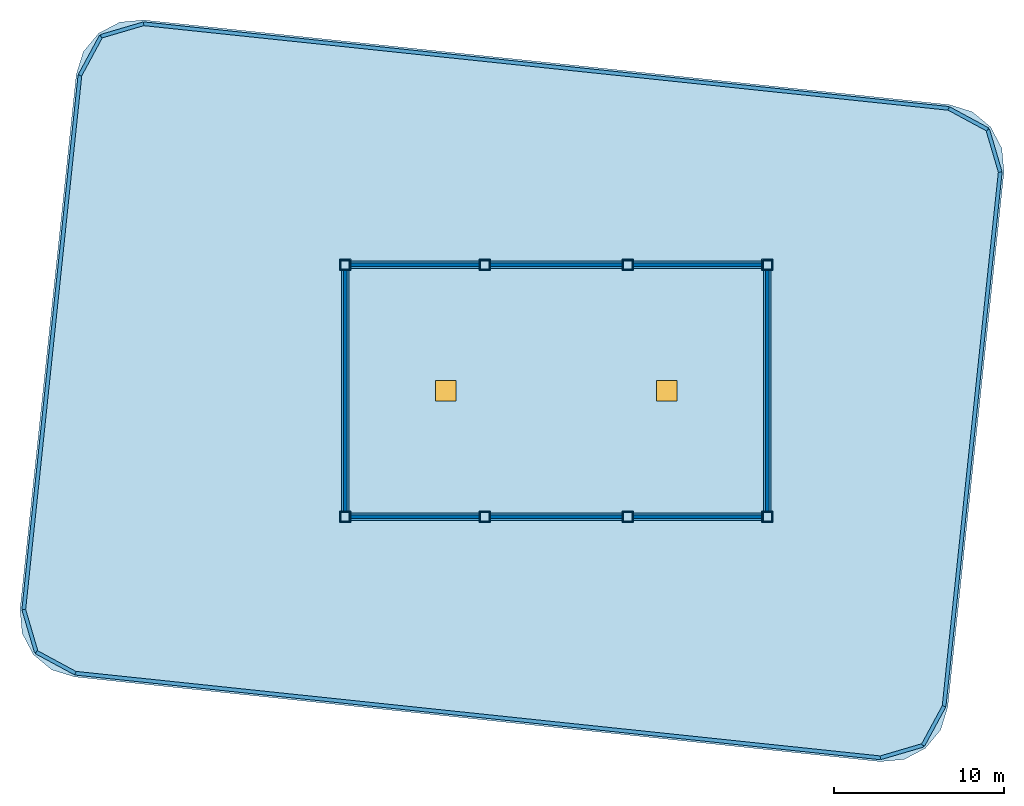
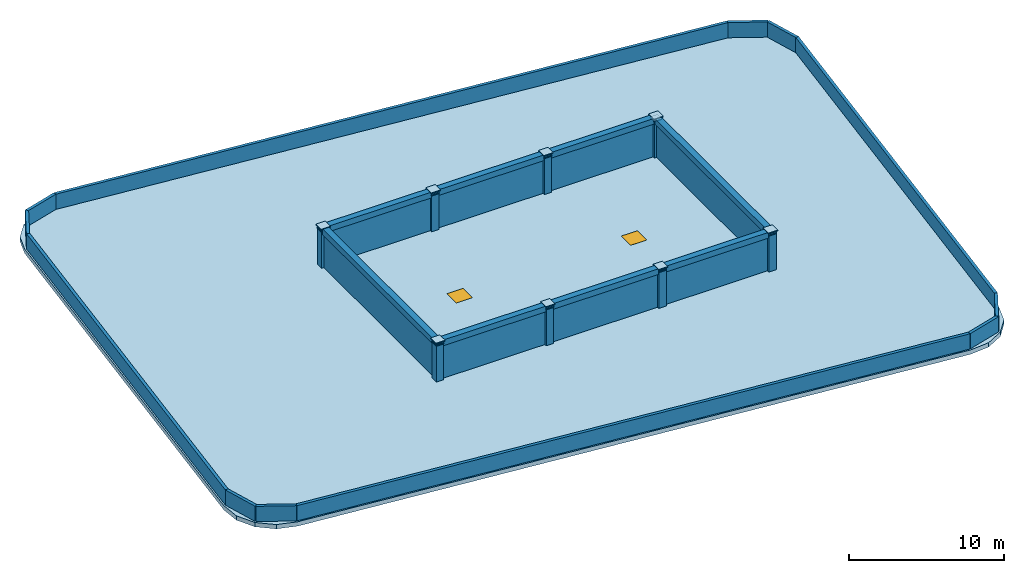
"""IFC4 building model written with IfcOpenShell, lengths in metres."""

from ifc_helpers import new_model, si_unit, direction, frame, frame_2d, origin, origin_2d, place, context, subcontext, project, spatial, polyline, rectangle, hollow_rectangle, outline, extrude, material, layer, layer_set, material_profile, profile_set, type_object, element, fill, save


model = new_model("IFC4")

# Units and contexts
model_context = context("Model", 3, precision=1e-05, world=origin(), true_north=direction((0.0, 1.0)))
body_context = subcontext(model_context, "Body", "Model", "MODEL_VIEW")
ifc_project = project(units=[si_unit("LENGTHUNIT", "METRE"), si_unit("AREAUNIT", "SQUARE_METRE"), si_unit("VOLUMEUNIT", "CUBIC_METRE"), si_unit("PLANEANGLEUNIT", "RADIAN"), si_unit("MASSUNIT", "GRAM", prefix="KILO")], contexts=[model_context])

# Site, building, storey
site_placement = place(None, origin())
site = spatial("IfcSite", under=ifc_project, at=site_placement, CompositionType="ELEMENT")
building_placement = place(site_placement, origin())
building = spatial("IfcBuilding", under=site, at=building_placement, Name="Voryun Gate Residences", CompositionType="ELEMENT")
storey_1_placement = place(building_placement, frame((0.0, 0.0, 342.5)))
storey_1 = spatial("IfcBuildingStorey", under=building, at=storey_1_placement, Name="ROOF", CompositionType="ELEMENT", Elevation=342.5)

# Columns
ifc_material_1 = material(Name="Steel SM355", Category="steel")
ifc_material_profile_1 = material_profile(ifc_material_1, hollow_rectangle(XDim=0.550048828125, YDim=0.550048828125, WallThickness=0.02197265625, at=origin_2d()), Name="BOX-550x550x22")
ifc_profile_set_1 = profile_set([ifc_material_profile_1], Name="Steel SM355")
column_type = type_object("IfcColumnType", Name="COL_CROWN_550", PredefinedType="COLUMN", material=ifc_profile_set_1)
for number, where, z_axis, x_axis, name in (
    (1, (-12.39990234375, -7.39990234375, 0.0), (0.0, 0.0, 1.0), (1.0, 0.0, 0.0), "ROOF Lantern Finial Post 1"),
    (2, (-4.199951171875, -7.39990234375, 0.0), (0.0, 0.0, 1.0), (1.0, 0.0, 0.0), "ROOF Lantern Finial Post 2"),
    (3, (4.199951171875, -7.39990234375, 0.0), (0.0, 0.0, 1.0), (1.0, 0.0, 0.0), "ROOF Lantern Finial Post 3"),
    (4, (12.39990234375, -7.39990234375, 0.0), (0.0, 0.0, 1.0), (1.0, 0.0, 0.0), "ROOF Lantern Finial Post 4"),
    (5, (12.39990234375, 7.39990234375, 0.0), (0.0, 0.0, 1.0), (1.0, 0.0, 0.0), "ROOF Lantern Finial Post 5"),
    (6, (4.199951171875, 7.39990234375, 0.0), (0.0, 0.0, 1.0), (1.0, 0.0, 0.0), "ROOF Lantern Finial Post 6"),
    (7, (-4.199951171875, 7.39990234375, 0.0), (0.0, 0.0, 1.0), (1.0, 0.0, 0.0), "ROOF Lantern Finial Post 7"),
    (8, (-12.39990234375, 7.39990234375, 0.0), (0.0, 0.0, 1.0), (1.0, 0.0, 0.0), "ROOF Lantern Finial Post 8"),
):
    element("IfcColumn", number, at=place(storey_1_placement, frame(where, z_axis=z_axis, x_axis=x_axis)), inside=storey_1, type_object=column_type, Name=name, PredefinedType="COLUMN", context=body_context, shape_type="SweptSolid", body=[
        extrude(hollow_rectangle(XDim=0.550048828125, YDim=0.550048828125, WallThickness=0.02197265625, at=origin_2d()), origin(), (0.0, 0.0, 1.0), 3.10009765625),
    ])

# Beams
ifc_material_2 = material(Name="Steel SM355", Category="steel")
ifc_material_profile_2 = material_profile(ifc_material_2, hollow_rectangle(XDim=0.449951171875, YDim=0.449951171875, WallThickness=0.01806640625, at=origin_2d()), Name="BOX-450x450x18")
ifc_profile_set_2 = profile_set([ifc_material_profile_2], Name="Steel SM355")
beam_type = type_object("IfcBeamType", Name="BM_CROWN_RING", PredefinedType="BEAM", material=ifc_profile_set_2)
beam_1_placement = place(storey_1_placement, frame((-12.39990234375, -7.39990234375, 2.875), z_axis=(1.0, 0.0, 0.0), x_axis=(0.0, 1.0, 0.0)))
element("IfcBeam", 9, at=beam_1_placement, inside=storey_1, type_object=beam_type, Name="BM-ROOF-FINRING-1", PredefinedType="BEAM", context=body_context, shape_type="SweptSolid", body=[
    extrude(hollow_rectangle(XDim=0.449951171875, YDim=0.449951171875, WallThickness=0.01806640625, at=origin_2d()), origin(), (0.0, 0.0, 1.0), 8.199951171875),
])
beam_2_placement = place(storey_1_placement, frame((-4.199951171875, -7.39990234375, 2.875), z_axis=(1.0, 0.0, 0.0), x_axis=(0.0, 1.0, 0.0)))
element("IfcBeam", 10, at=beam_2_placement, inside=storey_1, type_object=beam_type, Name="BM-ROOF-FINRING-2", PredefinedType="BEAM", context=body_context, shape_type="SweptSolid", body=[
    extrude(hollow_rectangle(XDim=0.449951171875, YDim=0.449951171875, WallThickness=0.01806640625, at=origin_2d()), origin(), (0.0, 0.0, 1.0), 8.39990234375),
])
beam_3_placement = place(storey_1_placement, frame((4.199951171875, -7.39990234375, 2.875), z_axis=(1.0, 0.0, 0.0), x_axis=(0.0, 1.0, 0.0)))
element("IfcBeam", 11, at=beam_3_placement, inside=storey_1, type_object=beam_type, Name="BM-ROOF-FINRING-3", PredefinedType="BEAM", context=body_context, shape_type="SweptSolid", body=[
    extrude(hollow_rectangle(XDim=0.449951171875, YDim=0.449951171875, WallThickness=0.01806640625, at=origin_2d()), origin(), (0.0, 0.0, 1.0), 8.199951171875),
])
beam_4_placement = place(storey_1_placement, frame((12.39990234375, -7.39990234375, 2.875), z_axis=(0.0, 1.0, 0.0), x_axis=(-1.0, 0.0, 0.0)))
element("IfcBeam", 12, at=beam_4_placement, inside=storey_1, type_object=beam_type, Name="BM-ROOF-FINRING-4", PredefinedType="BEAM", context=body_context, shape_type="SweptSolid", body=[
    extrude(hollow_rectangle(XDim=0.449951171875, YDim=0.449951171875, WallThickness=0.01806640625, at=origin_2d()), origin(), (0.0, 0.0, 1.0), 14.7998046875),
])
beam_5_placement = place(storey_1_placement, frame((12.39990234375, 7.39990234375, 2.875), z_axis=(-1.0, 0.0, 0.0), x_axis=(0.0, -1.0, 0.0)))
element("IfcBeam", 13, at=beam_5_placement, inside=storey_1, type_object=beam_type, Name="BM-ROOF-FINRING-5", PredefinedType="BEAM", context=body_context, shape_type="SweptSolid", body=[
    extrude(hollow_rectangle(XDim=0.449951171875, YDim=0.449951171875, WallThickness=0.01806640625, at=origin_2d()), origin(), (0.0, 0.0, 1.0), 8.199951171875),
])
beam_6_placement = place(storey_1_placement, frame((4.199951171875, 7.39990234375, 2.875), z_axis=(-1.0, 0.0, 0.0), x_axis=(0.0, -1.0, 0.0)))
element("IfcBeam", 14, at=beam_6_placement, inside=storey_1, type_object=beam_type, Name="BM-ROOF-FINRING-6", PredefinedType="BEAM", context=body_context, shape_type="SweptSolid", body=[
    extrude(hollow_rectangle(XDim=0.449951171875, YDim=0.449951171875, WallThickness=0.01806640625, at=origin_2d()), origin(), (0.0, 0.0, 1.0), 8.39990234375),
])
beam_7_placement = place(storey_1_placement, frame((-4.199951171875, 7.39990234375, 2.875), z_axis=(-1.0, 0.0, 0.0), x_axis=(0.0, -1.0, 0.0)))
element("IfcBeam", 15, at=beam_7_placement, inside=storey_1, type_object=beam_type, Name="BM-ROOF-FINRING-7", PredefinedType="BEAM", context=body_context, shape_type="SweptSolid", body=[
    extrude(hollow_rectangle(XDim=0.449951171875, YDim=0.449951171875, WallThickness=0.01806640625, at=origin_2d()), origin(), (0.0, 0.0, 1.0), 8.199951171875),
])
beam_8_placement = place(storey_1_placement, frame((-12.39990234375, 7.39990234375, 2.875), z_axis=(0.0, -1.0, 0.0), x_axis=(1.0, 0.0, 0.0)))
element("IfcBeam", 16, at=beam_8_placement, inside=storey_1, type_object=beam_type, Name="BM-ROOF-FINRING-8", PredefinedType="BEAM", context=body_context, shape_type="SweptSolid", body=[
    extrude(hollow_rectangle(XDim=0.449951171875, YDim=0.449951171875, WallThickness=0.01806640625, at=origin_2d()), origin(), (0.0, 0.0, 1.0), 14.7998046875),
])

# Plates
ifc_material_3 = material(Name="Steel SM355", Category="steel")
ifc_layer_1 = layer(ifc_material_3, 0.02490234375, Name="PLT_END_CAP_25")
ifc_layer_set_1 = layer_set([ifc_layer_1], Name="Steel SM355")
plate_type = type_object("IfcPlateType", Name="PLT_END_CAP_25", PredefinedType="USERDEFINED", material=ifc_layer_set_1)
for number, where, z_axis, x_axis, name in (
    (17, (-12.39990234375, -7.39990234375, 3.06005859375), (0.0, 0.0, 1.0), (1.0, 0.0, 0.0), "ROOF Hollow Member End-Cap Plate EC-1103"),
    (18, (-4.199951171875, -7.39990234375, 3.06005859375), (0.0, 0.0, 1.0), (1.0, 0.0, 0.0), "ROOF Hollow Member End-Cap Plate EC-1104"),
    (19, (4.199951171875, -7.39990234375, 3.06005859375), (0.0, 0.0, 1.0), (1.0, 0.0, 0.0), "ROOF Hollow Member End-Cap Plate EC-1105"),
    (20, (12.39990234375, -7.39990234375, 3.06005859375), (0.0, 0.0, 1.0), (1.0, 0.0, 0.0), "ROOF Hollow Member End-Cap Plate EC-1106"),
    (21, (12.39990234375, 7.39990234375, 3.06005859375), (0.0, 0.0, 1.0), (1.0, 0.0, 0.0), "ROOF Hollow Member End-Cap Plate EC-1107"),
    (22, (4.199951171875, 7.39990234375, 3.06005859375), (0.0, 0.0, 1.0), (1.0, 0.0, 0.0), "ROOF Hollow Member End-Cap Plate EC-1108"),
    (23, (-4.199951171875, 7.39990234375, 3.06005859375), (0.0, 0.0, 1.0), (1.0, 0.0, 0.0), "ROOF Hollow Member End-Cap Plate EC-1109"),
    (24, (-12.39990234375, 7.39990234375, 3.06005859375), (0.0, 0.0, 1.0), (1.0, 0.0, 0.0), "ROOF Hollow Member End-Cap Plate EC-1110"),
):
    element("IfcPlate", number, at=place(storey_1_placement, frame(where, z_axis=z_axis, x_axis=x_axis)), inside=storey_1, type_object=plate_type, Name=name, ObjectType="BASE_PLATE", PredefinedType="USERDEFINED", context=body_context, shape_type="SweptSolid", body=[
        extrude(rectangle(XDim=0.68994140625, YDim=0.68994140625, at=origin_2d()), origin(), (0.0, 0.0, 1.0), 0.080078125),
    ])
for number, where, z_axis, x_axis, name in (
    (25, (-12.39990234375, -7.39990234375, 2.8349609375), (0.0, 0.0, 1.0), (1.0, 0.0, 0.0), "ROOF Hollow Member End-Cap Plate EC-1111"),
    (26, (-4.199951171875, -7.39990234375, 2.8349609375), (0.0, 0.0, 1.0), (1.0, 0.0, 0.0), "ROOF Hollow Member End-Cap Plate EC-1112"),
    (27, (4.199951171875, -7.39990234375, 2.8349609375), (0.0, 0.0, 1.0), (1.0, 0.0, 0.0), "ROOF Hollow Member End-Cap Plate EC-1113"),
    (28, (12.39990234375, -7.39990234375, 2.8349609375), (0.0, 0.0, 1.0), (1.0, 0.0, 0.0), "ROOF Hollow Member End-Cap Plate EC-1114"),
    (29, (12.39990234375, 7.39990234375, 2.8349609375), (0.0, 0.0, 1.0), (1.0, 0.0, 0.0), "ROOF Hollow Member End-Cap Plate EC-1115"),
    (30, (4.199951171875, 7.39990234375, 2.8349609375), (0.0, 0.0, 1.0), (1.0, 0.0, 0.0), "ROOF Hollow Member End-Cap Plate EC-1116"),
    (31, (-4.199951171875, 7.39990234375, 2.8349609375), (0.0, 0.0, 1.0), (1.0, 0.0, 0.0), "ROOF Hollow Member End-Cap Plate EC-1117"),
    (32, (-12.39990234375, 7.39990234375, 2.8349609375), (0.0, 0.0, 1.0), (1.0, 0.0, 0.0), "ROOF Hollow Member End-Cap Plate EC-1118"),
):
    element("IfcPlate", number, at=place(storey_1_placement, frame(where, z_axis=z_axis, x_axis=x_axis)), inside=storey_1, type_object=plate_type, Name=name, ObjectType="BASE_PLATE", PredefinedType="USERDEFINED", context=body_context, shape_type="SweptSolid", body=[
        extrude(rectangle(XDim=0.590087890625, YDim=0.590087890625, at=origin_2d()), origin(), (0.0, 0.0, 1.0), 0.080078125),
    ])

# Slab, openings
ifc_material_4 = material(Name="Concrete C50/60", Category="concrete")
ifc_layer_2 = layer(ifc_material_4, 0.340087890625, Name="SLB_LANTERN_CAP_340")
ifc_layer_set_2 = layer_set([ifc_layer_2], Name="Concrete C50/60")
slab_type = type_object("IfcSlabType", Name="SLB_LANTERN_CAP_340", PredefinedType="ROOF", material=ifc_layer_set_2)
slab_placement = place(storey_1_placement, frame((0.0, 0.0, -0.340087890625)))
slab = element("IfcSlab", 33, at=slab_placement, inside=storey_1, type_object=slab_type, Name="ROOF Overhanging Pagoda Lantern Main Deck Slab", PredefinedType="ROOF", context=body_context, shape_type="SweptSolid", body=[
    extrude(outline(polyline([(19.041748046875, -21.781494140625), (20.4404296875, -21.653076171875), (21.68359375, -20.9990234375), (22.581787109375, -19.9189453125), (22.998291015625, -18.57763671875), (26.301513671875, 12.849365234375), (26.1728515625, 14.248046875), (25.518798828125, 15.4912109375), (24.43896484375, 16.389404296875), (23.097412109375, 16.805908203125), (-24.24169921875, 21.781494140625), (-25.640625, 21.653076171875), (-26.883544921875, 20.9990234375), (-27.78173828125, 19.9189453125), (-28.1982421875, 18.57763671875), (-31.50146484375, -12.849365234375), (-31.372802734375, -14.248046875), (-30.718994140625, -15.4912109375), (-29.638916015625, -16.389404296875), (-28.29736328125, -16.805908203125), (19.041748046875, -21.781494140625)])), origin(), (0.0, 0.0, 1.0), 0.340087890625),
])
opening_1_placement = place(slab_placement, frame((-6.5, 0.0, 0.0)))
opening_1 = element("IfcOpeningElement", 34, at=opening_1_placement, cuts=slab, Name="Opening RH1", PredefinedType="OPENING", context=body_context, shape_type="SweptSolid", body=[
    extrude(rectangle(XDim=1.199951171875, YDim=1.199951171875, at=origin_2d()), origin(), (0.0, 0.0, 1.0), 0.340087890625),
])
opening_2_placement = place(slab_placement, frame((6.5, 0.0, 0.0)))
opening_2 = element("IfcOpeningElement", 35, at=opening_2_placement, cuts=slab, Name="Opening RH1", PredefinedType="OPENING", context=body_context, shape_type="SweptSolid", body=[
    extrude(rectangle(XDim=1.199951171875, YDim=1.199951171875, at=origin_2d()), origin(), (0.0, 0.0, 1.0), 0.340087890625),
])

# Storey
storey_2_placement = place(building_placement, frame((0.0, 0.0, 337.199951171875)))
storey_2 = spatial("IfcBuildingStorey", under=building, at=storey_2_placement, Name="L82", CompositionType="ELEMENT", Elevation=337.199951171875)

# Window
ifc_material_5 = material(Name="Anodised aluminium", Category="aluminium")
window_type = type_object("IfcWindowType", Name="WN_ROOF_HATCH_1200", PartitioningType="SINGLE_PANEL", PredefinedType="SKYLIGHT", material=ifc_material_5)
window_1_placement = place(opening_1_placement, frame((0.0, 0.0, 0.2900390625)))
window_1 = element("IfcWindow", 36, at=window_1_placement, inside=storey_2, type_object=window_type, Name="ROOF Maintenance Access Hatch RH-01", OverallHeight=1.199951171875, OverallWidth=1.199951171875, PartitioningType="SINGLE_PANEL", PredefinedType="SKYLIGHT", context=body_context, shape_type="SweptSolid", body=[
    extrude(rectangle(XDim=1.199951171875, YDim=1.199951171875, at=origin_2d()), origin(), (0.0, 0.0, 1.0), 0.050048828125),
])

fill(opening_1, window_1)

window_2_placement = place(opening_2_placement, frame((0.0, 0.0, 0.2900390625)))
window_2 = element("IfcWindow", 37, at=window_2_placement, inside=storey_2, type_object=window_type, Name="ROOF Maintenance Access Hatch RH-02", OverallHeight=1.199951171875, OverallWidth=1.199951171875, PartitioningType="SINGLE_PANEL", PredefinedType="SKYLIGHT", context=body_context, shape_type="SweptSolid", body=[
    extrude(rectangle(XDim=1.199951171875, YDim=1.199951171875, at=origin_2d()), origin(), (0.0, 0.0, 1.0), 0.050048828125),
])

fill(opening_2, window_2)

# Walls
ifc_material_6 = material(Name="Precast concrete C40/50", Category="concrete")
ifc_layer_3 = layer(ifc_material_6, 0.219970703125, Name="W_PARAPET_CURB_220")
ifc_layer_set_3 = layer_set([ifc_layer_3], Name="Precast concrete C40/50")
wall_type = type_object("IfcWallType", Name="W_PARAPET_CURB_220", PredefinedType="PARAPET", material=ifc_layer_set_3)
wall_1_placement = place(storey_1_placement, frame((19.043212890625, -21.560302734375, 0.0), z_axis=(0.0, 0.0, 1.0), x_axis=(-0.994522065064, 0.104526848712, 0.0)))
element("IfcWall", 38, at=wall_1_placement, inside=storey_1, type_object=wall_type, Name="Exterior wall WCRN-ROOF-PAR-01", PredefinedType="PARAPET", context=body_context, shape_type="SweptSolid", body=[
    extrude(rectangle(XDim=47.556640625, YDim=0.219970703125, at=frame_2d((23.7783203125, 0.0))), origin(), (0.0, 0.0, 1.0), 1.199951171875),
])
wall_2_placement = place(storey_1_placement, frame((-28.2529296875, -16.58935546875, 0.0), z_axis=(0.0, 0.0, 1.0), x_axis=(-0.879630222732, 0.47565814537, 0.0)))
element("IfcWall", 39, at=wall_2_placement, inside=storey_1, type_object=wall_type, Name="Exterior wall WCRN-ROOF-PAR-02", PredefinedType="PARAPET", context=body_context, shape_type="SweptSolid", body=[
    extrude(rectangle(XDim=2.60546875, YDim=0.219970703125, at=frame_2d((1.302734375, 0.0))), origin(), (0.0, 0.0, 1.0), 1.199951171875),
])
wall_3_placement = place(storey_1_placement, frame((-30.544677734375, -15.35009765625, 0.0), z_axis=(0.0, 0.0, 1.0), x_axis=(-0.282435200473, 0.959286379312, 0.0)))
element("IfcWall", 40, at=wall_3_placement, inside=storey_1, type_object=wall_type, Name="Exterior wall WCRN-ROOF-PAR-03", PredefinedType="PARAPET", context=body_context, shape_type="SweptSolid", body=[
    extrude(rectangle(XDim=2.605224609375, YDim=0.219970703125, at=frame_2d((1.302734375, 0.0))), origin(), (0.0, 0.0, 1.0), 1.199951171875),
])
wall_4_placement = place(storey_1_placement, frame((-31.280517578125, -12.850830078125, 0.0), z_axis=(0.0, 0.0, 1.0), x_axis=(0.104536580283, 0.994521042202, 0.0)))
element("IfcWall", 41, at=wall_4_placement, inside=storey_1, type_object=wall_type, Name="Exterior wall WCRN-ROOF-PAR-04", PredefinedType="PARAPET", context=body_context, shape_type="SweptSolid", body=[
    extrude(rectangle(XDim=31.556640625, YDim=0.219970703125, at=frame_2d((15.7783203125, 0.0))), origin(), (0.0, 0.0, 1.0), 1.199951171875),
])
wall_5_placement = place(storey_1_placement, frame((-27.981689453125, 18.532958984375, 0.0), z_axis=(0.0, 0.0, 1.0), x_axis=(0.47565814537, 0.879630222732, 0.0)))
element("IfcWall", 42, at=wall_5_placement, inside=storey_1, type_object=wall_type, Name="Exterior wall WCRN-ROOF-PAR-05", PredefinedType="PARAPET", context=body_context, shape_type="SweptSolid", body=[
    extrude(rectangle(XDim=2.60546875, YDim=0.219970703125, at=frame_2d((1.302734375, 0.0))), origin(), (0.0, 0.0, 1.0), 1.199951171875),
])
wall_6_placement = place(storey_1_placement, frame((-26.742431640625, 20.82470703125, 0.0), z_axis=(0.0, 0.0, 1.0), x_axis=(0.959311764937, 0.282348964321, 0.0)))
element("IfcWall", 43, at=wall_6_placement, inside=storey_1, type_object=wall_type, Name="Exterior wall WCRN-ROOF-PAR-06", PredefinedType="PARAPET", context=body_context, shape_type="SweptSolid", body=[
    extrude(rectangle(XDim=2.605224609375, YDim=0.219970703125, at=frame_2d((1.302734375, 0.0))), origin(), (0.0, 0.0, 1.0), 1.199951171875),
])
wall_7_placement = place(storey_1_placement, frame((-24.2431640625, 21.560302734375, 0.0), z_axis=(0.0, 0.0, 1.0), x_axis=(0.994522065064, -0.104526848712, 0.0)))
element("IfcWall", 44, at=wall_7_placement, inside=storey_1, type_object=wall_type, Name="Exterior wall WCRN-ROOF-PAR-07", PredefinedType="PARAPET", context=body_context, shape_type="SweptSolid", body=[
    extrude(rectangle(XDim=47.556640625, YDim=0.219970703125, at=frame_2d((23.7783203125, 0.0))), origin(), (0.0, 0.0, 1.0), 1.199951171875),
])
for number, where, z_axis, x_axis, name in (
    (45, (23.052978515625, 16.58935546875, 0.0), (0.0, 0.0, 1.0), (0.879609018776, -0.475697355562, 0.0), "Exterior wall WCRN-ROOF-PAR-08"),
    (46, (25.344482421875, 15.35009765625, 0.0), (0.0, 0.0, 1.0), (0.282435200473, -0.959286379312, 0.0), "Exterior wall WCRN-ROOF-PAR-09"),
):
    element("IfcWall", number, at=place(storey_1_placement, frame(where, z_axis=z_axis, x_axis=x_axis)), inside=storey_1, type_object=wall_type, Name=name, PredefinedType="PARAPET", context=body_context, shape_type="SweptSolid", body=[
        extrude(rectangle(XDim=2.605224609375, YDim=0.219970703125, at=frame_2d((1.302734375, 0.0))), origin(), (0.0, 0.0, 1.0), 1.199951171875),
    ])
wall_8_placement = place(storey_1_placement, frame((26.080322265625, 12.850830078125, 0.0), z_axis=(0.0, 0.0, 1.0), x_axis=(-0.104528928245, -0.994521846497, 0.0)))
element("IfcWall", 47, at=wall_8_placement, inside=storey_1, type_object=wall_type, Name="Exterior wall WCRN-ROOF-PAR-10", PredefinedType="PARAPET", context=body_context, shape_type="SweptSolid", body=[
    extrude(rectangle(XDim=31.556640625, YDim=0.219970703125, at=frame_2d((15.7783203125, 0.0))), origin(), (0.0, 0.0, 1.0), 1.199951171875),
])
wall_9_placement = place(storey_1_placement, frame((22.78173828125, -18.532958984375, 0.0), z_axis=(0.0, 0.0, 1.0), x_axis=(-0.47565814537, -0.879630222732, 0.0)))
element("IfcWall", 48, at=wall_9_placement, inside=storey_1, type_object=wall_type, Name="Exterior wall WCRN-ROOF-PAR-11", PredefinedType="PARAPET", context=body_context, shape_type="SweptSolid", body=[
    extrude(rectangle(XDim=2.60546875, YDim=0.219970703125, at=frame_2d((1.302734375, 0.0))), origin(), (0.0, 0.0, 1.0), 1.199951171875),
])
wall_10_placement = place(storey_1_placement, frame((21.54248046875, -20.82470703125, 0.0), z_axis=(0.0, 0.0, 1.0), x_axis=(-0.959311764937, -0.282348964321, 0.0)))
element("IfcWall", 49, at=wall_10_placement, inside=storey_1, type_object=wall_type, Name="Exterior wall WCRN-ROOF-PAR-12", PredefinedType="PARAPET", context=body_context, shape_type="SweptSolid", body=[
    extrude(rectangle(XDim=2.605224609375, YDim=0.219970703125, at=frame_2d((1.302734375, 0.0))), origin(), (0.0, 0.0, 1.0), 1.199951171875),
])
wall_11_placement = place(storey_1_placement, frame((-12.39990234375, -7.39990234375, 0.0), z_axis=(0.0, 0.0, 1.0), x_axis=(1.0, 0.0, 0.0)))
element("IfcWall", 50, at=wall_11_placement, inside=storey_1, type_object=wall_type, Name="Exterior wall WCRN-ROOF-DRUM-1", PredefinedType="PARAPET", context=body_context, shape_type="SweptSolid", body=[
    extrude(rectangle(XDim=24.7998046875, YDim=0.219970703125, at=frame_2d((12.39990234375, 0.0))), origin(), (0.0, 0.0, 1.0), 2.60009765625),
])
wall_12_placement = place(storey_1_placement, frame((12.39990234375, -7.39990234375, 0.0), z_axis=(0.0, 0.0, 1.0), x_axis=(0.0, 1.0, 0.0)))
element("IfcWall", 51, at=wall_12_placement, inside=storey_1, type_object=wall_type, Name="Exterior wall WCRN-ROOF-DRUM-2", PredefinedType="PARAPET", context=body_context, shape_type="SweptSolid", body=[
    extrude(rectangle(XDim=14.7998046875, YDim=0.219970703125, at=frame_2d((7.39990234375, 0.0))), origin(), (0.0, 0.0, 1.0), 2.60009765625),
])
wall_13_placement = place(storey_1_placement, frame((12.39990234375, 7.39990234375, 0.0), z_axis=(0.0, 0.0, 1.0), x_axis=(-1.0, 0.0, 0.0)))
element("IfcWall", 52, at=wall_13_placement, inside=storey_1, type_object=wall_type, Name="Exterior wall WCRN-ROOF-DRUM-3", PredefinedType="PARAPET", context=body_context, shape_type="SweptSolid", body=[
    extrude(rectangle(XDim=24.7998046875, YDim=0.219970703125, at=frame_2d((12.39990234375, 0.0))), origin(), (0.0, 0.0, 1.0), 2.60009765625),
])
wall_14_placement = place(storey_1_placement, frame((-12.39990234375, 7.39990234375, 0.0), z_axis=(0.0, 0.0, 1.0), x_axis=(0.0, -1.0, 0.0)))
element("IfcWall", 53, at=wall_14_placement, inside=storey_1, type_object=wall_type, Name="Exterior wall WCRN-ROOF-DRUM-4", PredefinedType="PARAPET", context=body_context, shape_type="SweptSolid", body=[
    extrude(rectangle(XDim=14.7998046875, YDim=0.219970703125, at=frame_2d((7.39990234375, 0.0))), origin(), (0.0, 0.0, 1.0), 2.60009765625),
])

save(model, "model.ifc")
